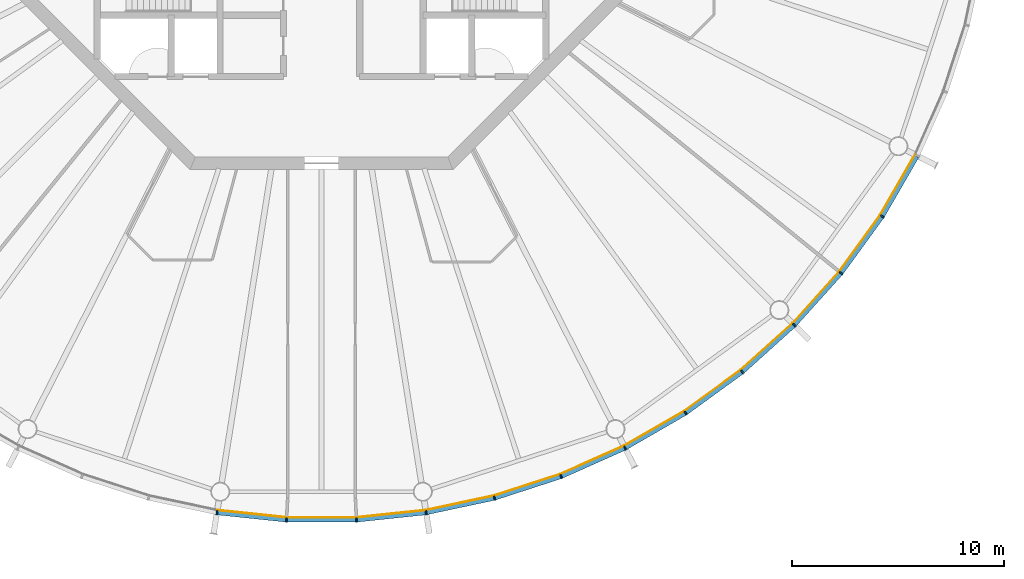
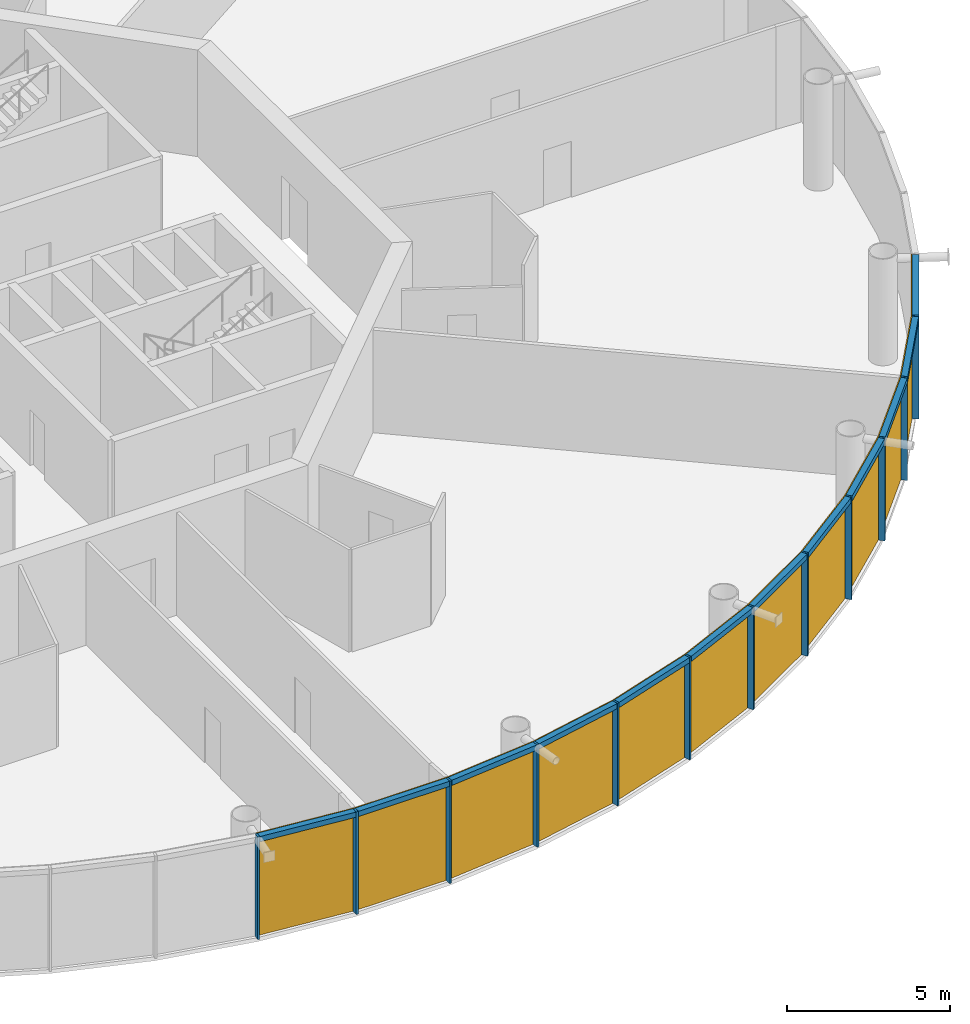
# One storey, part 14 of 19: 24 members, 4 curtain walls.
"""IFC4 building model written with IfcOpenShell, lengths in metres."""

import ifcopenshell
import ifcopenshell.guid

model = None  # the IFC model being written
_history = None  # IfcOwnerHistory: only IFC2X3 demands one
_inside = {}  # id of a spatial element -> (the spatial element, [elements in it])
_under = {}  # id of a project, library or spatial element -> (it, [spatial elements below it])
_declared = {}  # id of a project -> (the project, [libraries it declares])
_typed = {}  # id of a type object -> (the type object, [elements of that type])
_made_of = {}  # id of a material, layer set ... -> (it, [elements and type objects made of it])


def new_model(schema):
    """Start an empty IFC model of exactly this schema.

    Asked for "IFC4X3", IfcOpenShell would pick the latest addendum, in which some entities
    have other attributes; the version numbers below select the first issue.
    IFC2X3 requires an IfcOwnerHistory on every rooted entity: one is made here for all.
    """
    global model, _history
    if schema == "IFC4X3":
        model = ifcopenshell.file(schema_version=(4, 3, 0, 0))
    else:
        model = ifcopenshell.file(schema=schema)
    _inside.clear()
    _under.clear()
    _declared.clear()
    _typed.clear()
    _made_of.clear()
    _history = None
    if model.schema == "IFC2X3":
        org = make("IfcOrganization", Name="unknown")
        user = make(
            "IfcPersonAndOrganization",
            ThePerson=make("IfcPerson", FamilyName="unknown"),
            TheOrganization=org,
        )
        app = make(
            "IfcApplication",
            ApplicationDeveloper=org,
            Version="unknown",
            ApplicationFullName="unknown",
            ApplicationIdentifier="unknown",
        )
        _history = make(
            "IfcOwnerHistory",
            OwningUser=user,
            OwningApplication=app,
            ChangeAction="ADDED",
            CreationDate=0,
        )
    return model


def make(cls, **values):
    """One entity of the class cls with the attributes given. An attribute that is None is left unset."""
    return model.create_entity(
        cls, **{name: value for name, value in values.items() if value is not None}
    )


def rooted(cls, **values):
    """An entity with a GlobalId (a new one), such as an element, a storey or a relation."""
    return make(cls, GlobalId=ifcopenshell.guid.new(), OwnerHistory=_history, **values)


def si_unit(unit_type, name, prefix=None):
    """IfcSIUnit, for example si_unit("LENGTHUNIT", "METRE", prefix="MILLI")."""
    return make("IfcSIUnit", UnitType=unit_type, Prefix=prefix, Name=name)


def assignment(units):
    """IfcUnitAssignment: the units of a project."""
    return None if units is None else make("IfcUnitAssignment", Units=units)


def point(xyz):
    """IfcCartesianPoint."""
    return None if xyz is None else make("IfcCartesianPoint", Coordinates=xyz)


def direction(xyz):
    """IfcDirection."""
    return None if xyz is None else make("IfcDirection", DirectionRatios=xyz)


def frame(location, z_axis=None, x_axis=None):
    """IfcAxis2Placement3D, a coordinate frame: its origin and axes. An axis left out is left unset."""
    return make(
        "IfcAxis2Placement3D",
        Location=point(location),
        Axis=direction(z_axis),
        RefDirection=direction(x_axis),
    )


def frame_2d(location, x_axis=None):
    """IfcAxis2Placement2D, a coordinate frame in the plane: its origin and x axis."""
    return make(
        "IfcAxis2Placement2D", Location=point(location), RefDirection=direction(x_axis)
    )


def origin():
    """The frame at (0, 0, 0) with its axes left unset."""
    return frame((0.0, 0.0, 0.0))


def origin_2d():
    """The frame at (0, 0) in the plane with its x axis left unset."""
    return frame_2d((0.0, 0.0))


def place(relative_to, where):
    """IfcLocalPlacement: puts the frame where relative to a parent placement (None: the world)."""
    return make(
        "IfcLocalPlacement", PlacementRelTo=relative_to, RelativePlacement=where
    )


def context(
    kind, dimensions, precision=None, world=None, true_north=None, identifier=None
):
    """IfcGeometricRepresentationContext, for example the 3D "Model" context."""
    return make(
        "IfcGeometricRepresentationContext",
        ContextIdentifier=identifier,
        ContextType=kind,
        CoordinateSpaceDimension=dimensions,
        Precision=precision,
        WorldCoordinateSystem=world,
        TrueNorth=true_north,
    )


def subcontext(parent, identifier, kind, view, scale=None):
    """IfcGeometricRepresentationSubContext, for example "Body" below "Model"."""
    return make(
        "IfcGeometricRepresentationSubContext",
        ContextIdentifier=identifier,
        ContextType=kind,
        ParentContext=parent,
        TargetScale=scale,
        TargetView=view,
    )


def project(units=None, contexts=None):
    """IfcProject with its units and contexts."""
    return rooted(
        "IfcProject",
        Name="project",
        RepresentationContexts=contexts,
        UnitsInContext=assignment(units),
    )


def spatial(cls, under=None, at=None, **own):
    """A site, building, storey or space (cls), placed at a placement, below another one or the project."""
    s = rooted(cls, ObjectPlacement=at, **own)
    if under is not None:
        _under.setdefault(under.id(), (under, []))[1].append(s)
    return s


def polyline(points):
    """IfcPolyline through the points."""
    return make("IfcPolyline", Points=[point(p) for p in points])


def profile(cls, at=None, kind="AREA", **sizes):
    """A parametric profile (cls). Its sizes go by their IFC names, for example OverallWidth=200.0."""
    return make(cls, ProfileType=kind, Position=at, **sizes)


def rectangle(**sizes):
    """IfcRectangleProfileDef."""
    return profile("IfcRectangleProfileDef", **sizes)


def outline(outer, holes=None, kind="AREA"):
    """IfcArbitraryClosedProfileDef: a profile drawn as a closed curve; with holes, ...WithVoids."""
    if holes is None:
        return make("IfcArbitraryClosedProfileDef", ProfileType=kind, OuterCurve=outer)
    return make(
        "IfcArbitraryProfileDefWithVoids",
        ProfileType=kind,
        OuterCurve=outer,
        InnerCurves=holes,
    )


def extrude(swept, where, along, depth):
    """IfcExtrudedAreaSolid: the profile swept, set in the frame where, extruded along a direction by depth."""
    return make(
        "IfcExtrudedAreaSolid",
        SweptArea=swept,
        Position=where,
        ExtrudedDirection=direction(along),
        Depth=depth,
    )


def shape(context_of_items, identifier, shape_type, items):
    """IfcShapeRepresentation: the items that make up one representation, for example the "Body"."""
    return make(
        "IfcShapeRepresentation",
        ContextOfItems=context_of_items,
        RepresentationIdentifier=identifier,
        RepresentationType=shape_type,
        Items=items,
    )


def material(Name=None, Category=None):
    """IfcMaterial."""
    return make("IfcMaterial", Name=Name, Category=Category)


def layer(
    of_material, thickness, ventilated=None, Name=None, Category=None, Priority=None
):
    """IfcMaterialLayer: one layer of a wall or slab, of a material (None: an air gap)."""
    return make(
        "IfcMaterialLayer",
        Material=of_material,
        LayerThickness=thickness,
        IsVentilated=ventilated,
        Name=Name,
        Category=Category,
        Priority=Priority,
    )


def layer_set(layers, Name=None):
    """IfcMaterialLayerSet."""
    return make("IfcMaterialLayerSet", MaterialLayers=layers, LayerSetName=Name)


def material_profile(
    of_material, cross_section, Name=None, Category=None, Priority=None
):
    """IfcMaterialProfile: a cross section and its material."""
    return make(
        "IfcMaterialProfile",
        Name=Name,
        Material=of_material,
        Profile=cross_section,
        Priority=Priority,
        Category=Category,
    )


def profile_set(profiles, Name=None, composite=None):
    """IfcMaterialProfileSet."""
    return make(
        "IfcMaterialProfileSet",
        Name=Name,
        MaterialProfiles=profiles,
        CompositeProfile=composite,
    )


def made_of(thing, what):
    """Note that an element or type object is made of a material, layer set ...; save() writes the relation."""
    if what is not None:
        _made_of.setdefault(what.id(), (what, []))[1].append(thing)
    return thing


def type_object(cls, material=None, **own):
    """A type object (cls), such as IfcWallType, which elements share."""
    return made_of(rooted(cls, **own), material)


def element(
    cls,
    number,
    at=None,
    inside=None,
    cuts=None,
    type_object=None,
    material=None,
    context=None,
    identifier="Body",
    shape_type=None,
    held_by="IfcProductDefinitionShape",
    body=None,
    shapes=None,
    **own,
):
    """One element of the class cls, such as IfcWall. Its Tag is "e" and its number.

    at: its placement. inside: the storey or other place that contains it. cuts: it is an
    opening in that element (IfcRelVoidsElement). A single representation is given by context,
    identifier, shape_type and body (its items); several are given by shapes. held_by: the class
    of the entity that holds the representations. save() writes the other relations.
    """
    e = rooted(cls, Tag="e%d" % number, ObjectPlacement=at, **own)
    if body is not None:
        shapes = [shape(context, identifier, shape_type, body)]
    if shapes is not None:
        e.Representation = make(held_by, Representations=shapes)
    if inside is not None:
        _inside.setdefault(inside.id(), (inside, []))[1].append(e)
    if cuts is not None:
        rooted(
            "IfcRelVoidsElement", RelatingBuildingElement=cuts, RelatedOpeningElement=e
        )
    if type_object is not None:
        _typed.setdefault(type_object.id(), (type_object, []))[1].append(e)
    return made_of(e, material)


def aggregate(whole, parts):
    """IfcRelAggregates: a whole, such as a stair, and the parts it consists of."""
    return rooted("IfcRelAggregates", RelatingObject=whole, RelatedObjects=parts)


def save(model, path):
    """Write the relations noted so far, then the file.

    IfcRelAggregates (storeys below a building ...), IfcRelContainedInSpatialStructure (elements
    in a storey), IfcRelDefinesByType, IfcRelAssociatesMaterial and IfcRelDeclares: one each for
    every whole, place, type object, material and project.
    """
    for whole, parts in _under.values():
        aggregate(whole, parts)
    for where, things in _inside.values():
        rooted(
            "IfcRelContainedInSpatialStructure",
            RelatedElements=things,
            RelatingStructure=where,
        )
    for kind, things in _typed.values():
        rooted("IfcRelDefinesByType", RelatedObjects=things, RelatingType=kind)
    for what, things in _made_of.values():
        rooted("IfcRelAssociatesMaterial", RelatedObjects=things, RelatingMaterial=what)
    for by, libraries in _declared.values():
        rooted("IfcRelDeclares", RelatingContext=by, RelatedDefinitions=libraries)
    model.write(path)


model = new_model("IFC4")

# Units and contexts
model_context = context("Model", 3, precision=1e-05, world=origin(), true_north=direction((0.0, 1.0)))
body_context = subcontext(model_context, "Body", "Model", "MODEL_VIEW")
ifc_project = project(units=[si_unit("LENGTHUNIT", "METRE"), si_unit("AREAUNIT", "SQUARE_METRE"), si_unit("VOLUMEUNIT", "CUBIC_METRE"), si_unit("PLANEANGLEUNIT", "RADIAN"), si_unit("MASSUNIT", "GRAM", prefix="KILO")], contexts=[model_context])

# Member
ifc_material_1 = material(Name="Anodised aluminium", Category="aluminium")
ifc_material_profile_1 = material_profile(ifc_material_1, rectangle(XDim=0.070068359375, YDim=0.205078125, at=origin_2d()), Name="Mullion 70 x 205 mm anodised aluminium")
ifc_profile_set_1 = profile_set([ifc_material_profile_1], Name="Anodised aluminium")
member_type_1 = type_object("IfcMemberType", Name="Mullion 70 x 205 mm anodised aluminium", PredefinedType="MULLION", material=ifc_profile_set_1)
site_placement = place(None, origin())
building_placement = place(site_placement, origin())
storey_placement = place(building_placement, frame((0.0, 0.0, 368.0)))
member_1_placement = place(storey_placement, frame((85.056396484375, 48.78662109375, 0.0), z_axis=(0.0, 0.0, 1.0), x_axis=(0.987688340595, -0.15643446504, 0.0)))
member_1 = element("IfcMember", 1, at=member_1_placement, type_object=member_type_1, Name="MULLION L85-42", PredefinedType="MULLION", context=body_context, shape_type="SweptSolid", body=[
    extrude(rectangle(XDim=0.070068359375, YDim=0.205078125, at=origin_2d()), origin(), (0.0, 0.0, 1.0), 3.85009765625),
])

member_2_placement = place(storey_placement, frame((88.345947265625, 48.44091796875, 0.0), z_axis=(0.0, 0.0, 1.0), x_axis=(0.998629534755, -0.052335956243, 0.0)))
member_2 = element("IfcMember", 2, at=member_2_placement, type_object=member_type_1, Name="MULLION L85-43", PredefinedType="MULLION", context=body_context, shape_type="SweptSolid", body=[
    extrude(rectangle(XDim=0.070068359375, YDim=0.205078125, at=origin_2d()), origin(), (0.0, 0.0, 1.0), 3.85009765625),
])

member_3_placement = place(storey_placement, frame((91.654052734375, 48.44091796875, 0.0), z_axis=(0.0, 0.0, 1.0), x_axis=(0.998629534755, 0.052335956243, 0.0)))
member_3 = element("IfcMember", 3, at=member_3_placement, type_object=member_type_1, Name="MULLION L85-44", PredefinedType="MULLION", context=body_context, shape_type="SweptSolid", body=[
    extrude(rectangle(XDim=0.070068359375, YDim=0.205078125, at=origin_2d()), origin(), (0.0, 0.0, 1.0), 3.85009765625),
])

member_4_placement = place(storey_placement, frame((94.943603515625, 48.78662109375, 0.0), z_axis=(0.0, 0.0, 1.0), x_axis=(0.987688340595, 0.15643446504, 0.0)))
member_4 = element("IfcMember", 4, at=member_4_placement, type_object=member_type_1, Name="MULLION L85-45", PredefinedType="MULLION", context=body_context, shape_type="SweptSolid", body=[
    extrude(rectangle(XDim=0.070068359375, YDim=0.205078125, at=origin_2d()), origin(), (0.0, 0.0, 1.0), 3.85009765625),
])

member_5_placement = place(storey_placement, frame((98.179443359375, 49.474365234375, 0.0), z_axis=(0.0, 0.0, 1.0), x_axis=(0.965925826289, 0.258819045103, 0.0)))
member_5 = element("IfcMember", 5, at=member_5_placement, type_object=member_type_1, Name="MULLION L85-46", PredefinedType="MULLION", context=body_context, shape_type="SweptSolid", body=[
    extrude(rectangle(XDim=0.070068359375, YDim=0.205078125, at=origin_2d()), origin(), (0.0, 0.0, 1.0), 3.85009765625),
])

member_6_placement = place(storey_placement, frame((101.325439453125, 50.49658203125, 0.0), z_axis=(0.0, 0.0, 1.0), x_axis=(0.933580426497, 0.358367949545, 0.0)))
member_6 = element("IfcMember", 6, at=member_6_placement, type_object=member_type_1, Name="MULLION L85-47", PredefinedType="MULLION", context=body_context, shape_type="SweptSolid", body=[
    extrude(rectangle(XDim=0.070068359375, YDim=0.205078125, at=origin_2d()), origin(), (0.0, 0.0, 1.0), 3.85009765625),
])

member_7_placement = place(storey_placement, frame((104.34716796875, 51.842041015625, 0.0), z_axis=(0.0, 0.0, 1.0), x_axis=(0.891006524188, 0.45399049974, 0.0)))
member_7 = element("IfcMember", 7, at=member_7_placement, type_object=member_type_1, Name="MULLION L85-48", PredefinedType="MULLION", context=body_context, shape_type="SweptSolid", body=[
    extrude(rectangle(XDim=0.070068359375, YDim=0.205078125, at=origin_2d()), origin(), (0.0, 0.0, 1.0), 3.85009765625),
])

member_8_placement = place(storey_placement, frame((107.2119140625, 53.495849609375, 0.0), z_axis=(0.0, 0.0, 1.0), x_axis=(0.838670567945, 0.544639035015, 0.0)))
member_8 = element("IfcMember", 8, at=member_8_placement, type_object=member_type_1, Name="MULLION L85-49", PredefinedType="MULLION", context=body_context, shape_type="SweptSolid", body=[
    extrude(rectangle(XDim=0.070068359375, YDim=0.205078125, at=origin_2d()), origin(), (0.0, 0.0, 1.0), 3.85009765625),
])

member_9_placement = place(storey_placement, frame((109.88818359375, 55.440185546875, 0.0), z_axis=(0.0, 0.0, 1.0), x_axis=(0.777145961457, 0.62932039105, 0.0)))
member_9 = element("IfcMember", 9, at=member_9_placement, type_object=member_type_1, Name="MULLION L85-50", PredefinedType="MULLION", context=body_context, shape_type="SweptSolid", body=[
    extrude(rectangle(XDim=0.070068359375, YDim=0.205078125, at=origin_2d()), origin(), (0.0, 0.0, 1.0), 3.85009765625),
])

member_10_placement = place(storey_placement, frame((112.346435546875, 57.653564453125, 0.0), z_axis=(0.0, 0.0, 1.0), x_axis=(0.707106781187, 0.707106781187, 0.0)))
member_10 = element("IfcMember", 10, at=member_10_placement, type_object=member_type_1, Name="MULLION L85-51", PredefinedType="MULLION", context=body_context, shape_type="SweptSolid", body=[
    extrude(rectangle(XDim=0.070068359375, YDim=0.205078125, at=origin_2d()), origin(), (0.0, 0.0, 1.0), 3.85009765625),
])

member_11_placement = place(storey_placement, frame((114.559814453125, 60.11181640625, 0.0), z_axis=(0.0, 0.0, 1.0), x_axis=(0.62932039105, 0.777145961457, 0.0)))
member_11 = element("IfcMember", 11, at=member_11_placement, type_object=member_type_1, Name="MULLION L85-52", PredefinedType="MULLION", context=body_context, shape_type="SweptSolid", body=[
    extrude(rectangle(XDim=0.070068359375, YDim=0.205078125, at=origin_2d()), origin(), (0.0, 0.0, 1.0), 3.85009765625),
])

member_12_placement = place(storey_placement, frame((116.504150390625, 62.7880859375, 0.0), z_axis=(0.0, 0.0, 1.0), x_axis=(0.544639035015, 0.838670567945, 0.0)))
member_12 = element("IfcMember", 12, at=member_12_placement, type_object=member_type_1, Name="MULLION L85-53", PredefinedType="MULLION", context=body_context, shape_type="SweptSolid", body=[
    extrude(rectangle(XDim=0.070068359375, YDim=0.205078125, at=origin_2d()), origin(), (0.0, 0.0, 1.0), 3.85009765625),
])

ifc_material_2 = material(Name="Anodised aluminium", Category="aluminium")
ifc_material_profile_2 = material_profile(ifc_material_2, rectangle(XDim=0.205078125, YDim=0.195068359375, at=origin_2d()), Name="Transom 195 x 205 mm anodised aluminium")
ifc_profile_set_2 = profile_set([ifc_material_profile_2], Name="Anodised aluminium")
member_type_2 = type_object("IfcMemberType", Name="Transom 195 x 205 mm anodised aluminium", PredefinedType="USERDEFINED", material=ifc_profile_set_2)
member_13_placement = place(storey_placement, frame((85.096435546875, 48.7822265625, 3.75244140625), z_axis=(0.994519537956, -0.104550890115, 0.0), x_axis=(0.104550890115, 0.994519537956, 0.0)))
member_13 = element("IfcMember", 13, at=member_13_placement, type_object=member_type_2, Name="TRANSOM L85-42", ObjectType="TRANSOM", PredefinedType="USERDEFINED", context=body_context, shape_type="SweptSolid", body=[
    extrude(rectangle(XDim=0.205078125, YDim=0.195068359375, at=origin_2d()), origin(), (0.0, 0.0, 1.0), 3.22705078125),
])

member_14_placement = place(storey_placement, frame((88.386474609375, 48.440673828125, 3.75244140625), z_axis=(1.0, 0.0, 0.0), x_axis=(0.0, 1.0, 0.0)))
member_14 = element("IfcMember", 14, at=member_14_placement, type_object=member_type_2, Name="TRANSOM L85-43", ObjectType="TRANSOM", PredefinedType="USERDEFINED", context=body_context, shape_type="SweptSolid", body=[
    extrude(rectangle(XDim=0.205078125, YDim=0.195068359375, at=origin_2d()), origin(), (0.0, 0.0, 1.0), 3.22705078125),
])

member_15_placement = place(storey_placement, frame((91.694091796875, 48.44482421875, 3.75244140625), z_axis=(0.994519537956, 0.104550890115, 0.0), x_axis=(-0.104550890115, 0.994519537956, 0.0)))
member_15 = element("IfcMember", 15, at=member_15_placement, type_object=member_type_2, Name="TRANSOM L85-44", ObjectType="TRANSOM", PredefinedType="USERDEFINED", context=body_context, shape_type="SweptSolid", body=[
    extrude(rectangle(XDim=0.205078125, YDim=0.195068359375, at=origin_2d()), origin(), (0.0, 0.0, 1.0), 3.22705078125),
])

member_16_placement = place(storey_placement, frame((94.983154296875, 48.794921875, 3.75244140625), z_axis=(0.978153082647, 0.207885898771, 0.0), x_axis=(-0.207885898771, 0.978153082647, 0.0)))
member_16 = element("IfcMember", 16, at=member_16_placement, type_object=member_type_2, Name="TRANSOM L85-45", ObjectType="TRANSOM", PredefinedType="USERDEFINED", context=body_context, shape_type="SweptSolid", body=[
    extrude(rectangle(XDim=0.205078125, YDim=0.195068359375, at=origin_2d()), origin(), (0.0, 0.0, 1.0), 3.227294921875),
])

member_17_placement = place(storey_placement, frame((98.2177734375, 49.486572265625, 3.75244140625), z_axis=(0.951046855117, 0.309046726844, 0.0), x_axis=(-0.309046726844, 0.951046855117, 0.0)))
member_17 = element("IfcMember", 17, at=member_17_placement, type_object=member_type_2, Name="TRANSOM L85-46", ObjectType="TRANSOM", PredefinedType="USERDEFINED", context=body_context, shape_type="SweptSolid", body=[
    extrude(rectangle(XDim=0.205078125, YDim=0.195068359375, at=origin_2d()), origin(), (0.0, 0.0, 1.0), 3.22705078125),
])

member_18_placement = place(storey_placement, frame((101.3623046875, 50.5126953125, 3.75244140625), z_axis=(0.913521178731, 0.406791170024, 0.0), x_axis=(-0.406791170024, 0.913521178731, 0.0)))
member_18 = element("IfcMember", 18, at=member_18_placement, type_object=member_type_2, Name="TRANSOM L85-47", ObjectType="TRANSOM", PredefinedType="USERDEFINED", context=body_context, shape_type="SweptSolid", body=[
    extrude(rectangle(XDim=0.205078125, YDim=0.195068359375, at=origin_2d()), origin(), (0.0, 0.0, 1.0), 3.22705078125),
])

member_19_placement = place(storey_placement, frame((104.38232421875, 51.862060546875, 3.75244140625), z_axis=(0.866023062494, 0.500004055213, 0.0), x_axis=(-0.500004055213, 0.866023062494, 0.0)))
member_19 = element("IfcMember", 19, at=member_19_placement, type_object=member_type_2, Name="TRANSOM L85-48", ObjectType="TRANSOM", PredefinedType="USERDEFINED", context=body_context, shape_type="SweptSolid", body=[
    extrude(rectangle(XDim=0.205078125, YDim=0.195068359375, at=origin_2d()), origin(), (0.0, 0.0, 1.0), 3.22705078125),
])

member_20_placement = place(storey_placement, frame((107.24462890625, 53.51953125, 3.75244140625), z_axis=(0.809004252048, 0.587802790201, 0.0), x_axis=(-0.587802790201, 0.809004252048, 0.0)))
member_20 = element("IfcMember", 20, at=member_20_placement, type_object=member_type_2, Name="TRANSOM L85-49", ObjectType="TRANSOM", PredefinedType="USERDEFINED", context=body_context, shape_type="SweptSolid", body=[
    extrude(rectangle(XDim=0.205078125, YDim=0.195068359375, at=origin_2d()), origin(), (0.0, 0.0, 1.0), 3.227294921875),
])

member_21_placement = place(storey_placement, frame((109.918212890625, 55.467041015625, 3.75244140625), z_axis=(0.743132370743, 0.669144438484, 0.0), x_axis=(-0.669144438484, 0.743132370743, 0.0)))
member_21 = element("IfcMember", 21, at=member_21_placement, type_object=member_type_2, Name="TRANSOM L85-50", ObjectType="TRANSOM", PredefinedType="USERDEFINED", context=body_context, shape_type="SweptSolid", body=[
    extrude(rectangle(XDim=0.205078125, YDim=0.195068359375, at=origin_2d()), origin(), (0.0, 0.0, 1.0), 3.22705078125),
])

member_22_placement = place(storey_placement, frame((112.37353515625, 57.68359375, 3.75244140625), z_axis=(0.669144438484, 0.743132370743, 0.0), x_axis=(-0.743132370743, 0.669144438484, 0.0)))
member_22 = element("IfcMember", 22, at=member_22_placement, type_object=member_type_2, Name="TRANSOM L85-51", ObjectType="TRANSOM", PredefinedType="USERDEFINED", context=body_context, shape_type="SweptSolid", body=[
    extrude(rectangle(XDim=0.205078125, YDim=0.195068359375, at=origin_2d()), origin(), (0.0, 0.0, 1.0), 3.22705078125),
])

member_23_placement = place(storey_placement, frame((114.58349609375, 60.14453125, 3.75244140625), z_axis=(0.587802790201, 0.809004252048, 0.0), x_axis=(-0.809004252048, 0.587802790201, 0.0)))
member_23 = element("IfcMember", 23, at=member_23_placement, type_object=member_type_2, Name="TRANSOM L85-52", ObjectType="TRANSOM", PredefinedType="USERDEFINED", context=body_context, shape_type="SweptSolid", body=[
    extrude(rectangle(XDim=0.205078125, YDim=0.195068359375, at=origin_2d()), origin(), (0.0, 0.0, 1.0), 3.227294921875),
])

member_24_placement = place(storey_placement, frame((116.5244140625, 62.822998046875, 3.75244140625), z_axis=(0.500004055213, 0.866023062494, 0.0), x_axis=(-0.866023062494, 0.500004055213, 0.0)))
member_24 = element("IfcMember", 24, at=member_24_placement, type_object=member_type_2, Name="TRANSOM L85-53", ObjectType="TRANSOM", PredefinedType="USERDEFINED", context=body_context, shape_type="SweptSolid", body=[
    extrude(rectangle(XDim=0.205078125, YDim=0.195068359375, at=origin_2d()), origin(), (0.0, 0.0, 1.0), 3.22705078125),
])

# Site, building, storey
site = spatial("IfcSite", under=ifc_project, at=site_placement, CompositionType="ELEMENT")
building = spatial("IfcBuilding", under=site, at=building_placement, Name="Entoto Ring Tower", CompositionType="ELEMENT")
storey = spatial("IfcBuildingStorey", under=building, at=storey_placement, Name="L85", CompositionType="ELEMENT", Elevation=368.0)

# Curtain wall
ifc_material_3 = material(Name="Clear low-iron glass", Category="glass")
ifc_layer = layer(ifc_material_3, 0.035888671875)
ifc_layer_set = layer_set([ifc_layer], Name="Clear low-iron glass")
curtain_wall_type = type_object("IfcCurtainWallType", Name="Curtain wall system CW6 glazing 36 mm", PredefinedType="NOTDEFINED", material=ifc_layer_set)
curtain_wall_1_placement = place(storey_placement, origin())
curtain_wall_1 = element("IfcCurtainWall", 25, at=curtain_wall_1_placement, inside=storey, type_object=curtain_wall_type, Name="CW6 L85-15", PredefinedType="NOTDEFINED", context=body_context, shape_type="SweptSolid", body=[
    extrude(outline(polyline([(85.072265625, 48.8876953125), (88.351318359375, 48.543212890625), (91.648681640625, 48.543212890625), (94.927734375, 48.8876953125), (94.922119140625, 48.92333984375), (91.646728515625, 48.5791015625), (88.353271484375, 48.5791015625), (85.077880859375, 48.92333984375), (85.072265625, 48.8876953125)])), origin(), (0.0, 0.0, 1.0), 3.85009765625),
])

aggregate(curtain_wall_1, [member_1, member_2, member_3, member_13, member_14, member_15])

curtain_wall_2_placement = place(storey_placement, origin())
curtain_wall_2 = element("IfcCurtainWall", 26, at=curtain_wall_2_placement, inside=storey, type_object=curtain_wall_type, Name="CW6 L85-16", PredefinedType="NOTDEFINED", context=body_context, shape_type="SweptSolid", body=[
    extrude(outline(polyline([(94.927734375, 48.8876953125), (98.15283203125, 49.5732421875), (101.28857421875, 50.59228515625), (104.30078125, 51.933349609375), (104.284423828125, 51.96533203125), (101.275634765625, 50.6259765625), (98.1435546875, 49.608154296875), (94.922119140625, 48.92333984375), (94.927734375, 48.8876953125)])), origin(), (0.0, 0.0, 1.0), 3.85009765625),
])

aggregate(curtain_wall_2, [member_4, member_5, member_6, member_16, member_17, member_18])

curtain_wall_3_placement = place(storey_placement, origin())
curtain_wall_3 = element("IfcCurtainWall", 27, at=curtain_wall_3_placement, inside=storey, type_object=curtain_wall_type, Name="CW6 L85-17", PredefinedType="NOTDEFINED", context=body_context, shape_type="SweptSolid", body=[
    extrude(outline(polyline([(104.30078125, 51.933349609375), (107.15625, 53.581787109375), (109.823486328125, 55.52001953125), (112.27392578125, 57.72607421875), (112.248291015625, 57.751708984375), (109.801025390625, 55.5478515625), (107.136474609375, 53.612060546875), (104.284423828125, 51.96533203125), (104.30078125, 51.933349609375)])), origin(), (0.0, 0.0, 1.0), 3.85009765625),
])

aggregate(curtain_wall_3, [member_7, member_8, member_9, member_19, member_20, member_21])

curtain_wall_4_placement = place(storey_placement, origin())
curtain_wall_4 = element("IfcCurtainWall", 28, at=curtain_wall_4_placement, inside=storey, type_object=curtain_wall_type, Name="CW6 L85-18", PredefinedType="NOTDEFINED", context=body_context, shape_type="SweptSolid", body=[
    extrude(outline(polyline([(112.27392578125, 57.72607421875), (114.47998046875, 60.176513671875), (116.418212890625, 62.84375), (118.066650390625, 65.69921875), (118.03466796875, 65.715576171875), (116.387939453125, 62.863525390625), (114.4521484375, 60.198974609375), (112.248291015625, 57.751708984375), (112.27392578125, 57.72607421875)])), origin(), (0.0, 0.0, 1.0), 3.85009765625),
])

aggregate(curtain_wall_4, [member_10, member_11, member_12, member_22, member_23, member_24])

save(model, "model.ifc")
